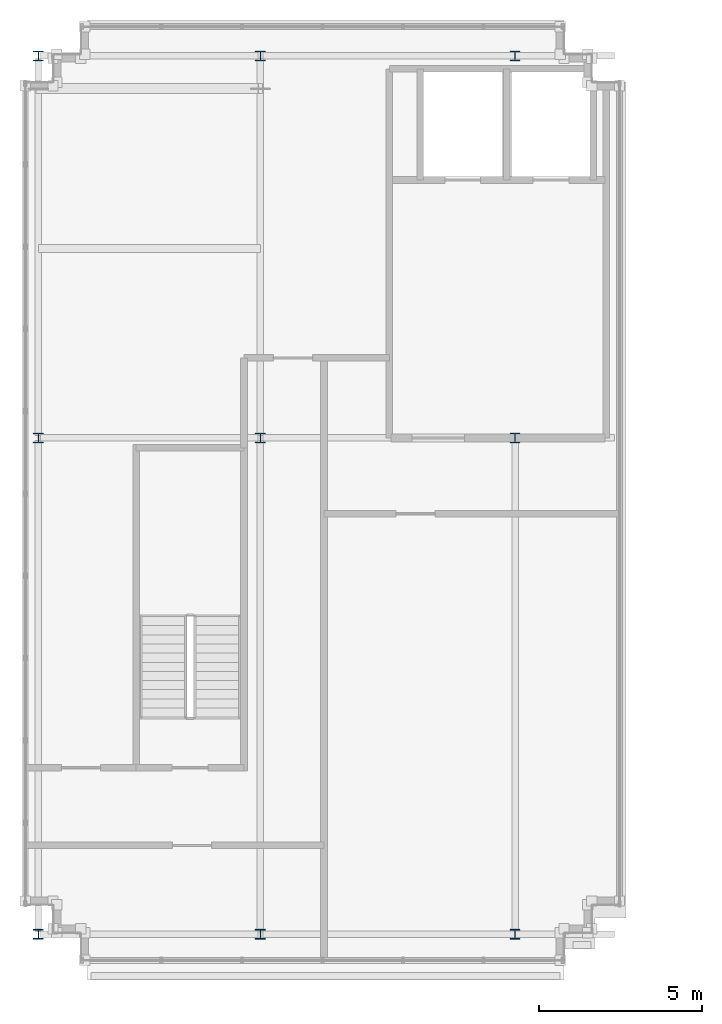
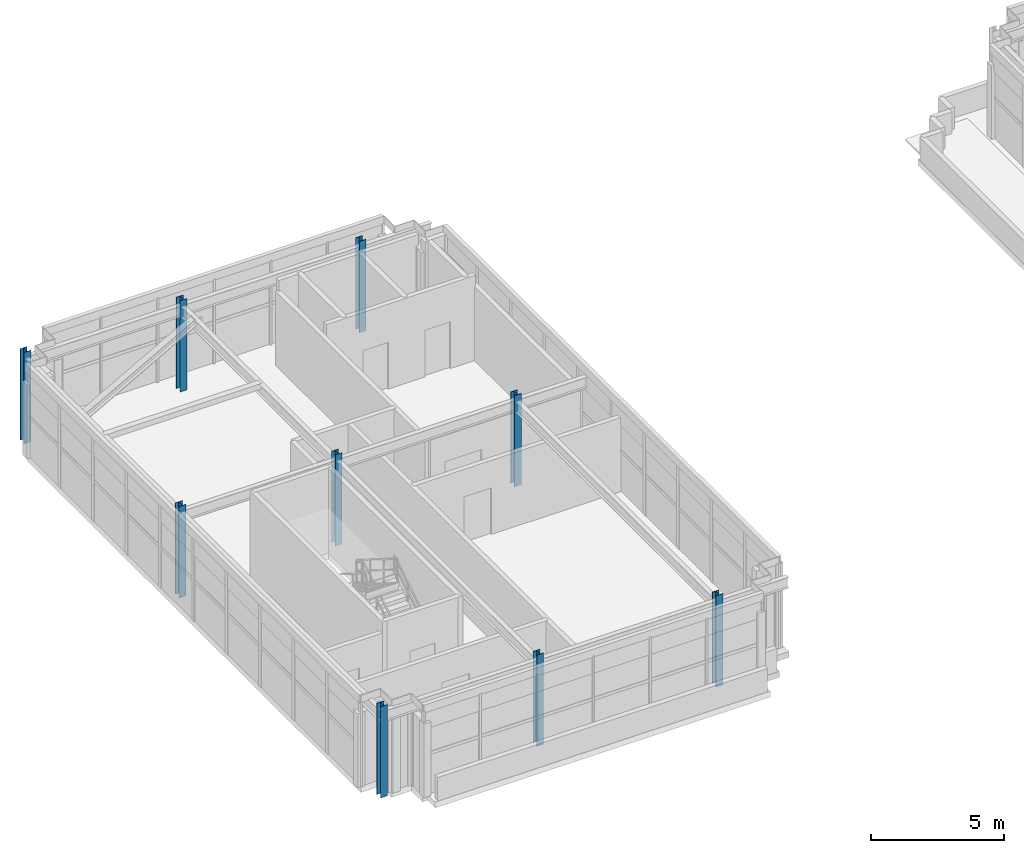
# One storey, part 1 of 25: 9 columns.
"""IFC4 building model written with IfcOpenShell, lengths in metres."""

import ifcopenshell
import ifcopenshell.guid

model = None  # the IFC model being written
_history = None  # IfcOwnerHistory: only IFC2X3 demands one
_inside = {}  # id of a spatial element -> (the spatial element, [elements in it])
_under = {}  # id of a project, library or spatial element -> (it, [spatial elements below it])
_declared = {}  # id of a project -> (the project, [libraries it declares])
_typed = {}  # id of a type object -> (the type object, [elements of that type])
_made_of = {}  # id of a material, layer set ... -> (it, [elements and type objects made of it])


def new_model(schema):
    """Start an empty IFC model of exactly this schema.

    Asked for "IFC4X3", IfcOpenShell would pick the latest addendum, in which some entities
    have other attributes; the version numbers below select the first issue.
    IFC2X3 requires an IfcOwnerHistory on every rooted entity: one is made here for all.
    """
    global model, _history
    if schema == "IFC4X3":
        model = ifcopenshell.file(schema_version=(4, 3, 0, 0))
    else:
        model = ifcopenshell.file(schema=schema)
    _inside.clear()
    _under.clear()
    _declared.clear()
    _typed.clear()
    _made_of.clear()
    _history = None
    if model.schema == "IFC2X3":
        org = make("IfcOrganization", Name="unknown")
        user = make(
            "IfcPersonAndOrganization",
            ThePerson=make("IfcPerson", FamilyName="unknown"),
            TheOrganization=org,
        )
        app = make(
            "IfcApplication",
            ApplicationDeveloper=org,
            Version="unknown",
            ApplicationFullName="unknown",
            ApplicationIdentifier="unknown",
        )
        _history = make(
            "IfcOwnerHistory",
            OwningUser=user,
            OwningApplication=app,
            ChangeAction="ADDED",
            CreationDate=0,
        )
    return model


def make(cls, **values):
    """One entity of the class cls with the attributes given. An attribute that is None is left unset."""
    return model.create_entity(
        cls, **{name: value for name, value in values.items() if value is not None}
    )


def rooted(cls, **values):
    """An entity with a GlobalId (a new one), such as an element, a storey or a relation."""
    return make(cls, GlobalId=ifcopenshell.guid.new(), OwnerHistory=_history, **values)


def si_unit(unit_type, name, prefix=None):
    """IfcSIUnit, for example si_unit("LENGTHUNIT", "METRE", prefix="MILLI")."""
    return make("IfcSIUnit", UnitType=unit_type, Prefix=prefix, Name=name)


def assignment(units):
    """IfcUnitAssignment: the units of a project."""
    return None if units is None else make("IfcUnitAssignment", Units=units)


def point(xyz):
    """IfcCartesianPoint."""
    return None if xyz is None else make("IfcCartesianPoint", Coordinates=xyz)


def direction(xyz):
    """IfcDirection."""
    return None if xyz is None else make("IfcDirection", DirectionRatios=xyz)


def frame(location, z_axis=None, x_axis=None):
    """IfcAxis2Placement3D, a coordinate frame: its origin and axes. An axis left out is left unset."""
    return make(
        "IfcAxis2Placement3D",
        Location=point(location),
        Axis=direction(z_axis),
        RefDirection=direction(x_axis),
    )


def frame_2d(location, x_axis=None):
    """IfcAxis2Placement2D, a coordinate frame in the plane: its origin and x axis."""
    return make(
        "IfcAxis2Placement2D", Location=point(location), RefDirection=direction(x_axis)
    )


def origin():
    """The frame at (0, 0, 0) with its axes left unset."""
    return frame((0.0, 0.0, 0.0))


def origin_2d():
    """The frame at (0, 0) in the plane with its x axis left unset."""
    return frame_2d((0.0, 0.0))


def place(relative_to, where):
    """IfcLocalPlacement: puts the frame where relative to a parent placement (None: the world)."""
    return make(
        "IfcLocalPlacement", PlacementRelTo=relative_to, RelativePlacement=where
    )


def context(
    kind, dimensions, precision=None, world=None, true_north=None, identifier=None
):
    """IfcGeometricRepresentationContext, for example the 3D "Model" context."""
    return make(
        "IfcGeometricRepresentationContext",
        ContextIdentifier=identifier,
        ContextType=kind,
        CoordinateSpaceDimension=dimensions,
        Precision=precision,
        WorldCoordinateSystem=world,
        TrueNorth=true_north,
    )


def subcontext(parent, identifier, kind, view, scale=None):
    """IfcGeometricRepresentationSubContext, for example "Body" below "Model"."""
    return make(
        "IfcGeometricRepresentationSubContext",
        ContextIdentifier=identifier,
        ContextType=kind,
        ParentContext=parent,
        TargetScale=scale,
        TargetView=view,
    )


def project(units=None, contexts=None):
    """IfcProject with its units and contexts."""
    return rooted(
        "IfcProject",
        Name="project",
        RepresentationContexts=contexts,
        UnitsInContext=assignment(units),
    )


def spatial(cls, under=None, at=None, **own):
    """A site, building, storey or space (cls), placed at a placement, below another one or the project."""
    s = rooted(cls, ObjectPlacement=at, **own)
    if under is not None:
        _under.setdefault(under.id(), (under, []))[1].append(s)
    return s


def profile(cls, at=None, kind="AREA", **sizes):
    """A parametric profile (cls). Its sizes go by their IFC names, for example OverallWidth=200.0."""
    return make(cls, ProfileType=kind, Position=at, **sizes)


def i_section(**sizes):
    """IfcIShapeProfileDef."""
    return profile("IfcIShapeProfileDef", **sizes)


def extrude(swept, where, along, depth):
    """IfcExtrudedAreaSolid: the profile swept, set in the frame where, extruded along a direction by depth."""
    return make(
        "IfcExtrudedAreaSolid",
        SweptArea=swept,
        Position=where,
        ExtrudedDirection=direction(along),
        Depth=depth,
    )


def shape(context_of_items, identifier, shape_type, items):
    """IfcShapeRepresentation: the items that make up one representation, for example the "Body"."""
    return make(
        "IfcShapeRepresentation",
        ContextOfItems=context_of_items,
        RepresentationIdentifier=identifier,
        RepresentationType=shape_type,
        Items=items,
    )


def source(mapping_origin, context_of_items, identifier, shape_type, items):
    """IfcRepresentationMap: a shape defined once, which mapped items show again and again."""
    return make(
        "IfcRepresentationMap",
        MappingOrigin=mapping_origin,
        MappedRepresentation=shape(context_of_items, identifier, shape_type, items),
    )


def transform(
    local_origin,
    x_axis=None,
    y_axis=None,
    z_axis=None,
    scale=None,
    scale2=None,
    scale3=None,
    uniform=True,
):
    """IfcCartesianTransformationOperator3D, or its non-uniform kind. x_axis, y_axis, z_axis: its Axis1, 2, 3."""
    if uniform:
        return make(
            "IfcCartesianTransformationOperator3D",
            Axis1=direction(x_axis),
            Axis2=direction(y_axis),
            LocalOrigin=point(local_origin),
            Scale=scale,
            Axis3=direction(z_axis),
        )
    return make(
        "IfcCartesianTransformationOperator3DnonUniform",
        Axis1=direction(x_axis),
        Axis2=direction(y_axis),
        LocalOrigin=point(local_origin),
        Scale=scale,
        Axis3=direction(z_axis),
        Scale2=scale2,
        Scale3=scale3,
    )


def mapped(mapping_source, mapping_target):
    """IfcMappedItem: shows the shape of a source again, moved by a transform."""
    return make(
        "IfcMappedItem", MappingSource=mapping_source, MappingTarget=mapping_target
    )


def material(Name=None, Category=None):
    """IfcMaterial."""
    return make("IfcMaterial", Name=Name, Category=Category)


def material_profile(
    of_material, cross_section, Name=None, Category=None, Priority=None
):
    """IfcMaterialProfile: a cross section and its material."""
    return make(
        "IfcMaterialProfile",
        Name=Name,
        Material=of_material,
        Profile=cross_section,
        Priority=Priority,
        Category=Category,
    )


def profile_set(profiles, Name=None, composite=None):
    """IfcMaterialProfileSet."""
    return make(
        "IfcMaterialProfileSet",
        Name=Name,
        MaterialProfiles=profiles,
        CompositeProfile=composite,
    )


def made_of(thing, what):
    """Note that an element or type object is made of a material, layer set ...; save() writes the relation."""
    if what is not None:
        _made_of.setdefault(what.id(), (what, []))[1].append(thing)
    return thing


def type_object(cls, material=None, **own):
    """A type object (cls), such as IfcWallType, which elements share."""
    return made_of(rooted(cls, **own), material)


def element(
    cls,
    number,
    at=None,
    inside=None,
    cuts=None,
    type_object=None,
    material=None,
    context=None,
    identifier="Body",
    shape_type=None,
    held_by="IfcProductDefinitionShape",
    body=None,
    shapes=None,
    **own,
):
    """One element of the class cls, such as IfcWall. Its Tag is "e" and its number.

    at: its placement. inside: the storey or other place that contains it. cuts: it is an
    opening in that element (IfcRelVoidsElement). A single representation is given by context,
    identifier, shape_type and body (its items); several are given by shapes. held_by: the class
    of the entity that holds the representations. save() writes the other relations.
    """
    e = rooted(cls, Tag="e%d" % number, ObjectPlacement=at, **own)
    if body is not None:
        shapes = [shape(context, identifier, shape_type, body)]
    if shapes is not None:
        e.Representation = make(held_by, Representations=shapes)
    if inside is not None:
        _inside.setdefault(inside.id(), (inside, []))[1].append(e)
    if cuts is not None:
        rooted(
            "IfcRelVoidsElement", RelatingBuildingElement=cuts, RelatedOpeningElement=e
        )
    if type_object is not None:
        _typed.setdefault(type_object.id(), (type_object, []))[1].append(e)
    return made_of(e, material)


def aggregate(whole, parts):
    """IfcRelAggregates: a whole, such as a stair, and the parts it consists of."""
    return rooted("IfcRelAggregates", RelatingObject=whole, RelatedObjects=parts)


def save(model, path):
    """Write the relations noted so far, then the file.

    IfcRelAggregates (storeys below a building ...), IfcRelContainedInSpatialStructure (elements
    in a storey), IfcRelDefinesByType, IfcRelAssociatesMaterial and IfcRelDeclares: one each for
    every whole, place, type object, material and project.
    """
    for whole, parts in _under.values():
        aggregate(whole, parts)
    for where, things in _inside.values():
        rooted(
            "IfcRelContainedInSpatialStructure",
            RelatedElements=things,
            RelatingStructure=where,
        )
    for kind, things in _typed.values():
        rooted("IfcRelDefinesByType", RelatedObjects=things, RelatingType=kind)
    for what, things in _made_of.values():
        rooted("IfcRelAssociatesMaterial", RelatedObjects=things, RelatingMaterial=what)
    for by, libraries in _declared.values():
        rooted("IfcRelDeclares", RelatingContext=by, RelatedDefinitions=libraries)
    model.write(path)


model = new_model("IFC4")

# Units and contexts
model_context = context("Model", 3, precision=1e-05, world=origin(), true_north=direction((0.0, 1.0)))
body_context = subcontext(model_context, "Body", "Model", "MODEL_VIEW")
ifc_project = project(units=[si_unit("LENGTHUNIT", "METRE"), si_unit("AREAUNIT", "SQUARE_METRE"), si_unit("VOLUMEUNIT", "CUBIC_METRE"), si_unit("PLANEANGLEUNIT", "RADIAN"), si_unit("MASSUNIT", "GRAM", prefix="KILO")], contexts=[model_context])

# Site, building, storey
site_placement = place(None, origin())
site = spatial("IfcSite", under=ifc_project, at=site_placement, CompositionType="ELEMENT")
building_placement = place(site_placement, origin())
building = spatial("IfcBuilding", under=site, at=building_placement, Name="Trelvane Seafront Commons", CompositionType="ELEMENT")
storey_placement = place(building_placement, frame((0.0, 0.0, 316.699951171875)))
storey = spatial("IfcBuildingStorey", under=building, at=storey_placement, Name="L82", CompositionType="ELEMENT", Elevation=316.699951171875)

# Columns
ifc_material = material(Name="Steel SM355 (S355)", Category="steel")
ifc_material_profile = material_profile(ifc_material, i_section(OverallWidth=0.300048828125, OverallDepth=0.300048828125, WebThickness=0.014892578125, FlangeThickness=0.02392578125, at=origin_2d()), Name="HD-300x300x15x24")
ifc_profile_set = profile_set([ifc_material_profile], Name="Steel SM355 (S355)")
column_type = type_object("IfcColumnType", Name="STR-CROWN-FRAME-COL", PredefinedType="COLUMN", material=ifc_profile_set)
shared_shape = source(origin(), body_context, "Body", "SweptSolid", [
    extrude(i_section(OverallWidth=0.300048828125, OverallDepth=0.300048828125, WebThickness=0.014892578125, FlangeThickness=0.02392578125, at=origin_2d()), origin(), (0.0, 0.0, 1.0), 4.199951171875),
])
for number, where, z_axis, x_axis, name in (
    (1, (8.800048828125, 18.199951171875, 0.0), (0.0, 0.0, 1.0), (1.0, 0.0, 0.0), "L82 CROWN FRAME Column CRN-1-1"),
    (2, (8.800048828125, 33.39990234375, 0.0), (0.0, 0.0, 1.0), (1.0, 0.0, 0.0), "L82 CROWN FRAME Column CRN-1-2"),
    (3, (8.800048828125, 45.10009765625, 0.0), (0.0, 0.0, 1.0), (1.0, 0.0, 0.0), "L82 CROWN FRAME Column CRN-1-3"),
    (4, (15.60009765625, 18.199951171875, 0.0), (0.0, 0.0, 1.0), (1.0, 0.0, 0.0), "L82 CROWN FRAME Column CRN-2-1"),
    (5, (15.60009765625, 33.39990234375, 0.0), (0.0, 0.0, 1.0), (1.0, 0.0, 0.0), "L82 CROWN FRAME Column CRN-2-2"),
    (6, (15.60009765625, 45.10009765625, 0.0), (0.0, 0.0, 1.0), (1.0, 0.0, 0.0), "L82 CROWN FRAME Column CRN-2-3"),
    (7, (23.39990234375, 18.199951171875, 0.0), (0.0, 0.0, 1.0), (1.0, 0.0, 0.0), "L82 CROWN FRAME Column CRN-3-1"),
    (8, (23.39990234375, 33.39990234375, 0.0), (0.0, 0.0, 1.0), (1.0, 0.0, 0.0), "L82 CROWN FRAME Column CRN-3-2"),
    (9, (23.39990234375, 45.10009765625, 0.0), (0.0, 0.0, 1.0), (1.0, 0.0, 0.0), "L82 CROWN FRAME Column CRN-3-3"),
):
    element("IfcColumn", number, at=place(storey_placement, frame(where, z_axis=z_axis, x_axis=x_axis)), inside=storey, type_object=column_type, Name=name, PredefinedType="COLUMN", context=body_context, shape_type="MappedRepresentation", body=[
        mapped(shared_shape, transform((0.0, 0.0, 0.0), x_axis=(1.0, 0.0, 0.0), y_axis=(0.0, 1.0, 0.0), z_axis=(0.0, 0.0, 1.0), scale=1.0)),
    ])

save(model, "model.ifc")
